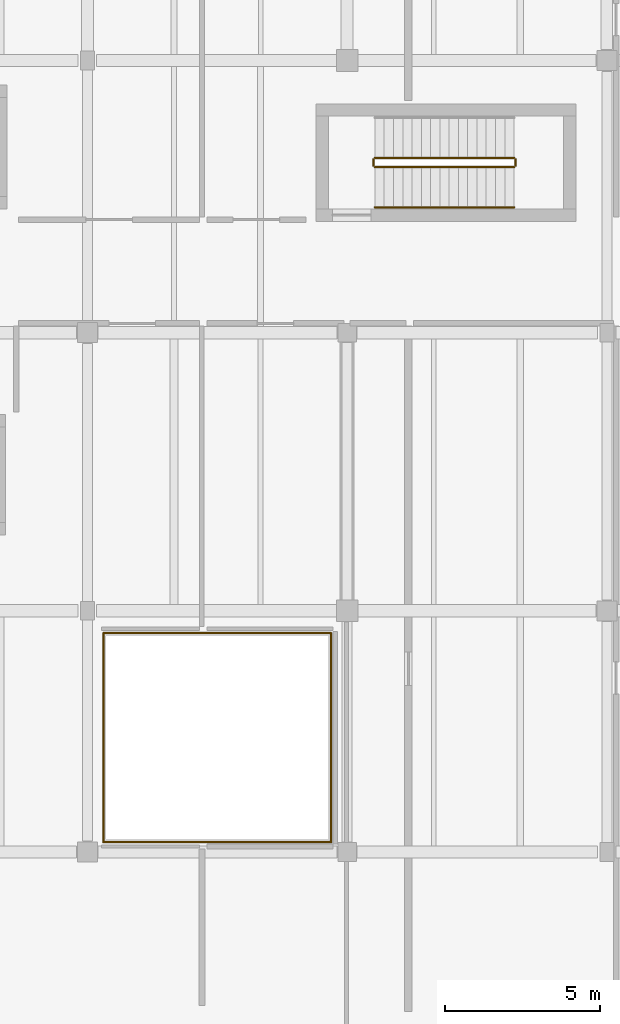
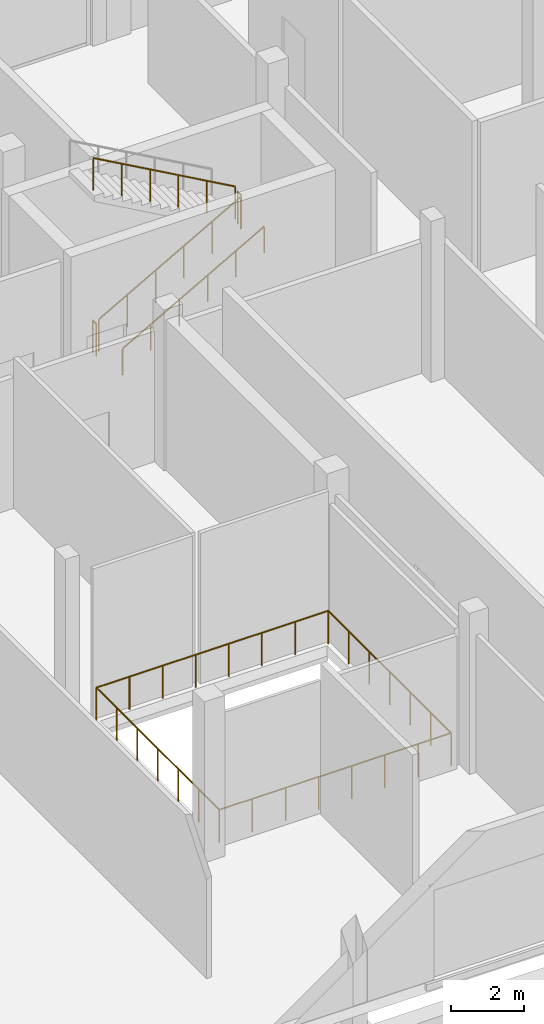
# One storey, part 75 of 88: 9 railings.
"""IFC4 building model written with IfcOpenShell, lengths in metres."""

from ifc_helpers import new_model, si_unit, direction, frame, origin, origin_2d, place, context, subcontext, project, spatial, circle, extrude, material, type_object, element, save


model = new_model("IFC4")

# Units and contexts
model_context = context("Model", 3, precision=1e-05, world=origin(), true_north=direction((0.0, 1.0)))
body_context = subcontext(model_context, "Body", "Model", "MODEL_VIEW")
ifc_project = project(units=[si_unit("LENGTHUNIT", "METRE"), si_unit("AREAUNIT", "SQUARE_METRE"), si_unit("VOLUMEUNIT", "CUBIC_METRE"), si_unit("PLANEANGLEUNIT", "RADIAN"), si_unit("MASSUNIT", "GRAM", prefix="KILO")], contexts=[model_context])

# Site, building, storey
site_placement = place(None, origin())
site = spatial("IfcSite", under=ifc_project, at=site_placement, CompositionType="ELEMENT")
building_placement = place(site_placement, origin())
building = spatial("IfcBuilding", under=site, at=building_placement, Name="Birchvale Park Specialist Clinic", CompositionType="ELEMENT")
storey_placement = place(building_placement, origin())
storey = spatial("IfcBuildingStorey", under=building, at=storey_placement, Name="L00", CompositionType="ELEMENT", Elevation=0.0)

# Railings
ifc_material_1 = material(Name="Brushed stainless steel and laminated glass balustrade", Category="steel")
railing_type_1 = type_object("IfcRailingType", Name="RL-BAL1", PredefinedType="BALUSTRADE", material=ifc_material_1)
railing_1_placement = place(storey_placement, frame((20.1201171875, 9.320068359375, 0.0)))
element("IfcRailing", 1, at=railing_1_placement, inside=storey, type_object=railing_type_1, Name="V2 L00 atrium void balustrade 5", PredefinedType="BALUSTRADE", context=body_context, shape_type="SweptSolid", body=[
    extrude(circle(Radius=0.02392578125, at=origin_2d()), frame((0.0, 0.0, 1.09619140625), z_axis=(1.0, 0.0, 0.0), x_axis=(0.0, 1.0, 0.0)), (0.0, 0.0, 1.0), 7.35986328125),
    extrude(circle(Radius=0.02099609375, at=origin_2d()), origin(), (0.0, 0.0, 1.0), 1.072021484375),
    extrude(circle(Radius=0.02099609375, at=origin_2d()), frame((1.051513671875, 0.0, 0.0)), (0.0, 0.0, 1.0), 1.072021484375),
    extrude(circle(Radius=0.02099609375, at=origin_2d()), frame((2.102783203125, 0.0, 0.0)), (0.0, 0.0, 1.0), 1.072021484375),
    extrude(circle(Radius=0.02099609375, at=origin_2d()), frame((3.154296875, 0.0, 0.0)), (0.0, 0.0, 1.0), 1.072021484375),
    extrude(circle(Radius=0.02099609375, at=origin_2d()), frame((4.20556640625, 0.0, 0.0)), (0.0, 0.0, 1.0), 1.072021484375),
    extrude(circle(Radius=0.02099609375, at=origin_2d()), frame((5.257080078125, 0.0, 0.0)), (0.0, 0.0, 1.0), 1.072021484375),
    extrude(circle(Radius=0.02099609375, at=origin_2d()), frame((6.308349609375, 0.0, 0.0)), (0.0, 0.0, 1.0), 1.072021484375),
    extrude(circle(Radius=0.02099609375, at=origin_2d()), frame((7.35986328125, 0.0, 0.0)), (0.0, 0.0, 1.0), 1.072021484375),
])
railing_2_placement = place(storey_placement, frame((27.47998046875, 9.320068359375, 0.0)))
element("IfcRailing", 2, at=railing_2_placement, inside=storey, type_object=railing_type_1, Name="V2 L00 atrium void balustrade 6", PredefinedType="BALUSTRADE", context=body_context, shape_type="SweptSolid", body=[
    extrude(circle(Radius=0.02392578125, at=origin_2d()), frame((0.0, 0.0, 1.09619140625), z_axis=(0.0, 1.0, 0.0), x_axis=(-1.0, 0.0, 0.0)), (0.0, 0.0, 1.0), 6.760009765625),
    extrude(circle(Radius=0.02099609375, at=origin_2d()), origin(), (0.0, 0.0, 1.0), 1.072021484375),
    extrude(circle(Radius=0.02099609375, at=origin_2d()), frame((0.0, 1.126708984375, 0.0)), (0.0, 0.0, 1.0), 1.072021484375),
    extrude(circle(Radius=0.02099609375, at=origin_2d()), frame((0.0, 2.25341796875, 0.0)), (0.0, 0.0, 1.0), 1.072021484375),
    extrude(circle(Radius=0.02099609375, at=origin_2d()), frame((0.0, 3.3798828125, 0.0)), (0.0, 0.0, 1.0), 1.072021484375),
    extrude(circle(Radius=0.02099609375, at=origin_2d()), frame((0.0, 4.506591796875, 0.0)), (0.0, 0.0, 1.0), 1.072021484375),
    extrude(circle(Radius=0.02099609375, at=origin_2d()), frame((0.0, 5.63330078125, 0.0)), (0.0, 0.0, 1.0), 1.072021484375),
    extrude(circle(Radius=0.02099609375, at=origin_2d()), frame((0.0, 6.760009765625, 0.0)), (0.0, 0.0, 1.0), 1.072021484375),
])
railing_3_placement = place(storey_placement, frame((27.47998046875, 16.080078125, 0.0)))
element("IfcRailing", 3, at=railing_3_placement, inside=storey, type_object=railing_type_1, Name="V2 L00 atrium void balustrade 7", PredefinedType="BALUSTRADE", context=body_context, shape_type="SweptSolid", body=[
    extrude(circle(Radius=0.02392578125, at=origin_2d()), frame((0.0, 0.0, 1.09619140625), z_axis=(-1.0, 0.0, 0.0), x_axis=(0.0, -1.0, 0.0)), (0.0, 0.0, 1.0), 7.35986328125),
    extrude(circle(Radius=0.02099609375, at=origin_2d()), origin(), (0.0, 0.0, 1.0), 1.072021484375),
    extrude(circle(Radius=0.02099609375, at=origin_2d()), frame((-1.051513671875, 0.0, 0.0)), (0.0, 0.0, 1.0), 1.072021484375),
    extrude(circle(Radius=0.02099609375, at=origin_2d()), frame((-2.102783203125, 0.0, 0.0)), (0.0, 0.0, 1.0), 1.072021484375),
    extrude(circle(Radius=0.02099609375, at=origin_2d()), frame((-3.154296875, 0.0, 0.0)), (0.0, 0.0, 1.0), 1.072021484375),
    extrude(circle(Radius=0.02099609375, at=origin_2d()), frame((-4.20556640625, 0.0, 0.0)), (0.0, 0.0, 1.0), 1.072021484375),
    extrude(circle(Radius=0.02099609375, at=origin_2d()), frame((-5.257080078125, 0.0, 0.0)), (0.0, 0.0, 1.0), 1.072021484375),
    extrude(circle(Radius=0.02099609375, at=origin_2d()), frame((-6.308349609375, 0.0, 0.0)), (0.0, 0.0, 1.0), 1.072021484375),
    extrude(circle(Radius=0.02099609375, at=origin_2d()), frame((-7.35986328125, 0.0, 0.0)), (0.0, 0.0, 1.0), 1.072021484375),
])
railing_4_placement = place(storey_placement, frame((20.1201171875, 16.080078125, 0.0)))
element("IfcRailing", 4, at=railing_4_placement, inside=storey, type_object=railing_type_1, Name="V2 L00 atrium void balustrade 8", PredefinedType="BALUSTRADE", context=body_context, shape_type="SweptSolid", body=[
    extrude(circle(Radius=0.02392578125, at=origin_2d()), frame((0.0, 0.0, 1.09619140625), z_axis=(0.0, -1.0, 0.0), x_axis=(1.0, 0.0, 0.0)), (0.0, 0.0, 1.0), 6.760009765625),
    extrude(circle(Radius=0.02099609375, at=origin_2d()), origin(), (0.0, 0.0, 1.0), 1.072021484375),
    extrude(circle(Radius=0.02099609375, at=origin_2d()), frame((0.0, -1.126708984375, 0.0)), (0.0, 0.0, 1.0), 1.072021484375),
    extrude(circle(Radius=0.02099609375, at=origin_2d()), frame((0.0, -2.25341796875, 0.0)), (0.0, 0.0, 1.0), 1.072021484375),
    extrude(circle(Radius=0.02099609375, at=origin_2d()), frame((0.0, -3.3798828125, 0.0)), (0.0, 0.0, 1.0), 1.072021484375),
    extrude(circle(Radius=0.02099609375, at=origin_2d()), frame((0.0, -4.506591796875, 0.0)), (0.0, 0.0, 1.0), 1.072021484375),
    extrude(circle(Radius=0.02099609375, at=origin_2d()), frame((0.0, -5.63330078125, 0.0)), (0.0, 0.0, 1.0), 1.072021484375),
    extrude(circle(Radius=0.02099609375, at=origin_2d()), frame((0.0, -6.760009765625, 0.0)), (0.0, 0.0, 1.0), 1.072021484375),
])
ifc_material_2 = material(Name="Brushed stainless steel guard railing", Category="steel")
railing_type_2 = type_object("IfcRailingType", Name="RL-GRD1", PredefinedType="GUARDRAIL", material=ifc_material_2)
railing_5_placement = place(storey_placement, frame((28.89990234375, 31.14990234375, 0.168701171875)))
element("IfcRailing", 5, at=railing_5_placement, inside=storey, type_object=railing_type_2, Name="L00 ST2 stair guard 1", PredefinedType="GUARDRAIL", context=body_context, shape_type="SweptSolid", body=[
    extrude(circle(Radius=0.02392578125, at=origin_2d()), frame((0.0, 0.0, 1.076171875), z_axis=(0.871575537125, 0.0, 0.490261239633), x_axis=(0.0, 1.0, 0.0)), (0.0, 0.0, 1.0), 5.1630859375),
    extrude(circle(Radius=0.02099609375, at=origin_2d()), origin(), (0.0, 0.0, 1.0), 1.052001953125),
    extrude(circle(Radius=0.02099609375, at=origin_2d()), frame((0.89990234375, 0.0, 0.50634765625)), (0.0, 0.0, 1.0), 1.052001953125),
    extrude(circle(Radius=0.02099609375, at=origin_2d()), frame((1.800048828125, 0.0, 1.012451171875)), (0.0, 0.0, 1.0), 1.052001953125),
    extrude(circle(Radius=0.02099609375, at=origin_2d()), frame((2.699951171875, 0.0, 1.518798828125)), (0.0, 0.0, 1.0), 1.052001953125),
    extrude(circle(Radius=0.02099609375, at=origin_2d()), frame((3.60009765625, 0.0, 2.02490234375)), (0.0, 0.0, 1.0), 1.052001953125),
    extrude(circle(Radius=0.02099609375, at=origin_2d()), frame((4.5, 0.0, 2.53125)), (0.0, 0.0, 1.0), 1.052001953125),
])
railing_6_placement = place(storey_placement, frame((33.449951171875, 31.199951171875, 2.699951171875)))
element("IfcRailing", 6, at=railing_6_placement, inside=storey, type_object=railing_type_2, Name="L00 ST2 stair guard 2", PredefinedType="GUARDRAIL", context=body_context, shape_type="SweptSolid", body=[
    extrude(circle(Radius=0.02392578125, at=origin_2d()), frame((0.0, 0.0, 1.076171875), z_axis=(0.0, 1.0, 0.0), x_axis=(-1.0, 0.0, 0.0)), (0.0, 0.0, 1.0), 0.199951171875),
    extrude(circle(Radius=0.02099609375, at=origin_2d()), origin(), (0.0, 0.0, 1.0), 1.052001953125),
    extrude(circle(Radius=0.02099609375, at=origin_2d()), frame((0.0, 0.199951171875, 0.0)), (0.0, 0.0, 1.0), 1.052001953125),
])
railing_7_placement = place(storey_placement, frame((33.39990234375, 31.449951171875, 2.86865234375)))
element("IfcRailing", 7, at=railing_7_placement, inside=storey, type_object=railing_type_2, Name="L00 ST2 stair guard 3", PredefinedType="GUARDRAIL", context=body_context, shape_type="SweptSolid", body=[
    extrude(circle(Radius=0.02392578125, at=origin_2d()), frame((0.0, 0.0, 1.076171875), z_axis=(-0.871575537125, 0.0, 0.490261239633), x_axis=(0.0, -1.0, 0.0)), (0.0, 0.0, 1.0), 5.1630859375),
    extrude(circle(Radius=0.02099609375, at=origin_2d()), origin(), (0.0, 0.0, 1.0), 1.052001953125),
    extrude(circle(Radius=0.02099609375, at=origin_2d()), frame((-0.89990234375, 0.0, 0.50634765625)), (0.0, 0.0, 1.0), 1.052001953125),
    extrude(circle(Radius=0.02099609375, at=origin_2d()), frame((-1.800048828125, 0.0, 1.012451171875)), (0.0, 0.0, 1.0), 1.052001953125),
    extrude(circle(Radius=0.02099609375, at=origin_2d()), frame((-2.699951171875, 0.0, 1.518798828125)), (0.0, 0.0, 1.0), 1.052001953125),
    extrude(circle(Radius=0.02099609375, at=origin_2d()), frame((-3.60009765625, 0.0, 2.02490234375)), (0.0, 0.0, 1.0), 1.052001953125),
    extrude(circle(Radius=0.02099609375, at=origin_2d()), frame((-4.5, 0.0, 2.53125)), (0.0, 0.0, 1.0), 1.052001953125),
])
railing_8_placement = place(storey_placement, frame((28.85009765625, 31.199951171875, 0.0)))
element("IfcRailing", 8, at=railing_8_placement, inside=storey, type_object=railing_type_2, Name="L00 ST2 stair guard 4", PredefinedType="GUARDRAIL", context=body_context, shape_type="SweptSolid", body=[
    extrude(circle(Radius=0.02392578125, at=origin_2d()), frame((0.0, 0.0, 1.076171875), z_axis=(0.0, 1.0, 0.0), x_axis=(-1.0, 0.0, 0.0)), (0.0, 0.0, 1.0), 0.199951171875),
    extrude(circle(Radius=0.02099609375, at=origin_2d()), origin(), (0.0, 0.0, 1.0), 1.052001953125),
    extrude(circle(Radius=0.02099609375, at=origin_2d()), frame((0.0, 0.199951171875, 0.0)), (0.0, 0.0, 1.0), 1.052001953125),
])
ifc_material_3 = material(Name="Anodised aluminium handrail", Category="aluminium")
railing_type_3 = type_object("IfcRailingType", Name="RL-HND1", PredefinedType="HANDRAIL", material=ifc_material_3)
railing_9_placement = place(storey_placement, frame((28.89990234375, 29.85009765625, 0.168701171875)))
element("IfcRailing", 9, at=railing_9_placement, inside=storey, type_object=railing_type_3, Name="L00 ST2 stair handrail 1", PredefinedType="HANDRAIL", context=body_context, shape_type="SweptSolid", body=[
    extrude(circle(Radius=0.02392578125, at=origin_2d()), frame((0.0, 0.0, 0.8759765625), z_axis=(0.871575537125, 0.0, 0.490261239633), x_axis=(0.0, 1.0, 0.0)), (0.0, 0.0, 1.0), 5.1630859375),
    extrude(circle(Radius=0.02099609375, at=origin_2d()), origin(), (0.0, 0.0, 1.0), 0.851806640625),
    extrude(circle(Radius=0.02099609375, at=origin_2d()), frame((0.89990234375, 0.0, 0.50634765625)), (0.0, 0.0, 1.0), 0.851806640625),
    extrude(circle(Radius=0.02099609375, at=origin_2d()), frame((1.800048828125, 0.0, 1.012451171875)), (0.0, 0.0, 1.0), 0.851806640625),
    extrude(circle(Radius=0.02099609375, at=origin_2d()), frame((2.699951171875, 0.0, 1.518798828125)), (0.0, 0.0, 1.0), 0.851806640625),
    extrude(circle(Radius=0.02099609375, at=origin_2d()), frame((3.60009765625, 0.0, 2.02490234375)), (0.0, 0.0, 1.0), 0.851806640625),
    extrude(circle(Radius=0.02099609375, at=origin_2d()), frame((4.5, 0.0, 2.53125)), (0.0, 0.0, 1.0), 0.851806640625),
])

save(model, "model.ifc")
